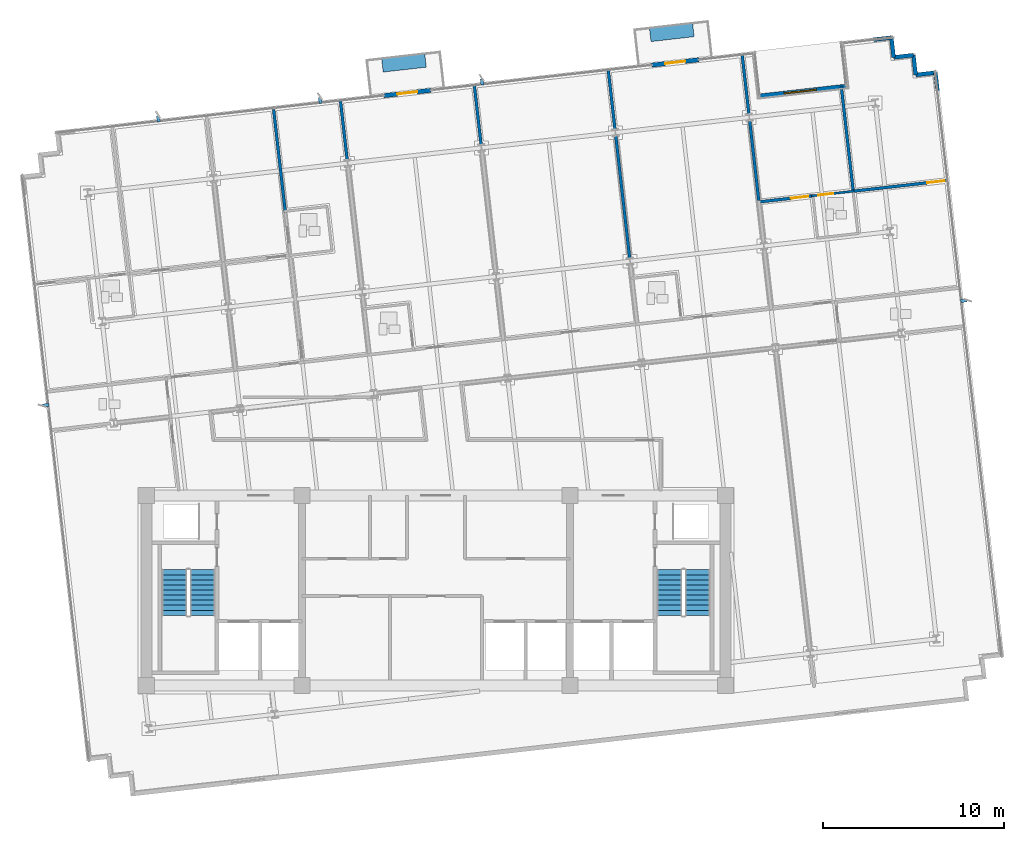
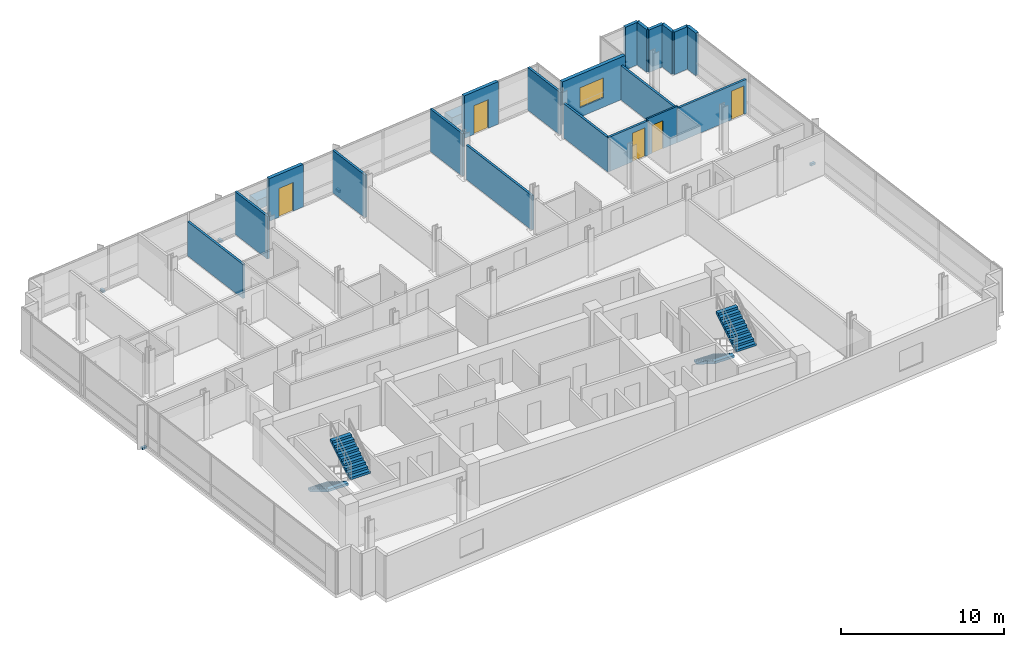
# One storey, part 12 of 16: 20 walls, 7 discrete accessories, 5 doors, 4 stair flights, 1 window, 6 openings, 2 elements without a shape of their own.
"""IFC4 building model written with IfcOpenShell, lengths in metres."""

from ifc_helpers import new_model, si_unit, direction, frame, frame_2d, origin, origin_2d, place, context, subcontext, project, spatial, polyline, rectangle, outline, extrude, material, layer, layer_set, type_object, element, fill, aggregate, save


model = new_model("IFC4")

# Units and contexts
model_context = context("Model", 3, precision=1e-05, world=origin(), true_north=direction((0.0, 1.0)))
body_context = subcontext(model_context, "Body", "Model", "MODEL_VIEW")
ifc_project = project(units=[si_unit("LENGTHUNIT", "METRE"), si_unit("AREAUNIT", "SQUARE_METRE"), si_unit("VOLUMEUNIT", "CUBIC_METRE"), si_unit("PLANEANGLEUNIT", "RADIAN"), si_unit("MASSUNIT", "GRAM", prefix="KILO")], contexts=[model_context])

# Site, building, storey
site_placement = place(None, origin())
site = spatial("IfcSite", under=ifc_project, at=site_placement, CompositionType="ELEMENT")
building_placement = place(site_placement, origin())
building = spatial("IfcBuilding", under=site, at=building_placement, Name="Solmavex Isthmus Hotel", CompositionType="ELEMENT")
storey_placement = place(building_placement, frame((0.0, 0.0, 219.300048828125)))
storey = spatial("IfcBuildingStorey", under=building, at=storey_placement, Name="L59", CompositionType="ELEMENT", Elevation=219.300048828125)

# Wall, opening, window
ifc_material_1 = material(Name="Precast Concrete C40/50", Category="concrete")
ifc_layer_1 = layer(ifc_material_1, 0.25)
ifc_layer_set_1 = layer_set([ifc_layer_1], Name="Precast Concrete C40/50")
wall_type_1 = type_object("IfcWallType", Name="EW-TWR-250", PredefinedType="STANDARD", material=ifc_layer_set_1)
wall_1_placement = place(storey_placement, frame((17.888427734375, 19.563232421875, 0.0), z_axis=(0.0, 0.0, 1.0), x_axis=(0.993576043135, 0.113166454875, 0.0)))
wall_1 = element("IfcWall", 1, at=wall_1_placement, inside=storey, type_object=wall_type_1, Name="Sky Garden Back Facade Wall L59", PredefinedType="STANDARD", context=body_context, shape_type="SweptSolid", body=[
    extrude(rectangle(XDim=4.800048828125, YDim=0.25, at=frame_2d((2.39990234375, 0.0))), origin(), (0.0, 0.0, 1.0), 3.18994140625),
])
opening_1_placement = place(wall_1_placement, frame((1.35009765625, 0.0, 0.699951171875)))
opening_1 = element("IfcOpeningElement", 2, at=opening_1_placement, cuts=wall_1, Name="Opening WN-02", PredefinedType="OPENING", context=body_context, shape_type="SweptSolid", body=[
    extrude(rectangle(XDim=1.800048828125, YDim=1.5, at=frame_2d((0.89990234375, 0.75))), frame((0.0, 0.135009765625, 0.0), z_axis=(0.0, -1.0, 0.0), x_axis=(1.0, 0.0, 0.0)), (0.0, 0.0, 1.0), 0.27001953125),
])
ifc_material_2 = material(Name="Clear low-E laminated glass", Category="glass")
window_type = type_object("IfcWindowType", Name="WIN-TWR-1800", PartitioningType="SINGLE_PANEL", PredefinedType="WINDOW", material=ifc_material_2)
window_placement = place(opening_1_placement, origin())
window = element("IfcWindow", 3, at=window_placement, inside=storey, type_object=window_type, Name="Sky Garden Overlook Window L59", OverallHeight=1.5, OverallWidth=1.800048828125, PartitioningType="SINGLE_PANEL", PredefinedType="WINDOW", context=body_context, shape_type="SweptSolid", body=[
    extrude(rectangle(XDim=1.800048828125, YDim=1.5, at=frame_2d((0.89990234375, 0.75))), frame((0.0, 0.030029296875, 0.0), z_axis=(0.0, -1.0, 0.0), x_axis=(1.0, 0.0, 0.0)), (0.0, 0.0, 1.0), 0.06005859375),
])
fill(opening_1, window)

# Wall, opening, door
wall_2_placement = place(storey_placement, frame((-2.871337890625, 19.59326171875, 0.0), z_axis=(0.0, 0.0, 1.0), x_axis=(0.993577691497, 0.113151981689, 0.0)))
wall_2 = element("IfcWall", 4, at=wall_2_placement, inside=storey, type_object=wall_type_1, Name="Exterior Balcony Door Wall L59-2", PredefinedType="STANDARD", context=body_context, shape_type="SweptSolid", body=[
    extrude(rectangle(XDim=2.599853515625, YDim=0.239990234375, at=frame_2d((1.2998046875, 0.0))), origin(), (0.0, 0.0, 1.0), 3.18994140625),
])
opening_2_placement = place(wall_2_placement, frame((0.75, 0.0, 0.0)))
opening_2 = element("IfcOpeningElement", 5, at=opening_2_placement, cuts=wall_2, Name="Opening ED-02", PredefinedType="OPENING", context=body_context, shape_type="SweptSolid", body=[
    extrude(rectangle(XDim=1.10009765625, YDim=2.14990234375, at=frame_2d((0.550048828125, 1.074951171875))), frame((0.0, 0.1298828125, 0.0), z_axis=(0.0, -1.0, 0.0), x_axis=(1.0, 0.0, 0.0)), (0.0, 0.0, 1.0), 0.260009765625),
])
ifc_material_3 = material(Name="Aluminium alloy 6063-T6", Category="aluminium")
door_type_1 = type_object("IfcDoorType", Name="EDR-BALC-1100", OperationType="NOTDEFINED", PredefinedType="DOOR", material=ifc_material_3)
door_1_placement = place(opening_2_placement, origin())
door_1 = element("IfcDoor", 6, at=door_1_placement, inside=storey, type_object=door_type_1, Name="Balcony & Terrace Glazed Door L59-2", OperationType="SINGLE_SWING_RIGHT", OverallHeight=2.14990234375, OverallWidth=1.10009765625, PredefinedType="DOOR", context=body_context, shape_type="SweptSolid", body=[
    extrude(rectangle(XDim=1.10009765625, YDim=2.14990234375, at=frame_2d((0.550048828125, 1.074951171875))), frame((0.0, 0.02490234375, 0.0), z_axis=(0.0, -1.0, 0.0), x_axis=(1.0, 0.0, 0.0)), (0.0, 0.0, 1.0), 0.050048828125),
])
fill(opening_2, door_1)

wall_3_placement = place(storey_placement, frame((11.9248046875, 21.279052734375, 0.0), z_axis=(0.0, 0.0, 1.0), x_axis=(0.993567130319, 0.113244680008, 0.0)))
wall_3 = element("IfcWall", 7, at=wall_3_placement, inside=storey, type_object=wall_type_1, Name="Exterior Balcony Door Wall L59-3", PredefinedType="STANDARD", context=body_context, shape_type="SweptSolid", body=[
    extrude(rectangle(XDim=2.60009765625, YDim=0.239990234375, at=frame_2d((1.300048828125, 0.0))), origin(), (0.0, 0.0, 1.0), 3.18994140625),
])
opening_3_placement = place(wall_3_placement, frame((0.75, 0.0, 0.0)))
opening_3 = element("IfcOpeningElement", 8, at=opening_3_placement, cuts=wall_3, Name="Opening ED-02", PredefinedType="OPENING", context=body_context, shape_type="SweptSolid", body=[
    extrude(rectangle(XDim=1.10009765625, YDim=2.14990234375, at=frame_2d((0.550048828125, 1.074951171875))), frame((0.0, 0.1298828125, 0.0), z_axis=(0.0, -1.0, 0.0), x_axis=(1.0, 0.0, 0.0)), (0.0, 0.0, 1.0), 0.260009765625),
])
door_2_placement = place(opening_3_placement, origin())
door_2 = element("IfcDoor", 9, at=door_2_placement, inside=storey, type_object=door_type_1, Name="Balcony & Terrace Glazed Door L59-3", OperationType="SINGLE_SWING_LEFT", OverallHeight=2.14990234375, OverallWidth=1.10009765625, PredefinedType="DOOR", context=body_context, shape_type="SweptSolid", body=[
    extrude(rectangle(XDim=1.10009765625, YDim=2.14990234375, at=frame_2d((0.550048828125, 1.074951171875))), frame((0.0, 0.02490234375, 0.0), z_axis=(0.0, -1.0, 0.0), x_axis=(1.0, 0.0, 0.0)), (0.0, 0.0, 1.0), 0.050048828125),
])
fill(opening_3, door_2)

# Walls
wall_4_placement = place(storey_placement, frame((24.175537109375, 22.684814453125, 0.0), z_axis=(0.0, 0.0, 1.0), x_axis=(0.993573147212, 0.113191877531, 0.0)))
element("IfcWall", 10, at=wall_4_placement, inside=storey, type_object=wall_type_1, Name="Serrated Corner Facade Panel L59-14", PredefinedType="STANDARD", context=body_context, shape_type="SweptSolid", body=[
    extrude(rectangle(XDim=0.989990234375, YDim=0.219970703125, at=frame_2d((0.4951171875, 0.0))), origin(), (0.0, 0.0, 1.0), 3.18994140625),
])
for number, where, z_axis, x_axis, name in (
    (11, (25.1591796875, 22.796875, 0.0), (0.0, 0.0, 1.0), (0.11320852056, -0.99357125103, 0.0), "Serrated Corner Facade Panel L59-15"),
    (12, (25.28369140625, 21.7041015625, 0.0), (0.0, 0.0, 1.0), (0.99357125103, 0.11320852056, 0.0), "Serrated Corner Facade Panel L59-16"),
):
    element("IfcWall", number, at=place(storey_placement, frame(where, z_axis=z_axis, x_axis=x_axis)), inside=storey, type_object=wall_type_1, Name=name, PredefinedType="STANDARD", context=body_context, shape_type="SweptSolid", body=[
        extrude(rectangle(XDim=1.099853515625, YDim=0.219970703125, at=frame_2d((0.5498046875, 0.0))), origin(), (0.0, 0.0, 1.0), 3.18994140625),
    ])
wall_5_placement = place(storey_placement, frame((26.37646484375, 21.82861328125, 0.0), z_axis=(0.0, 0.0, 1.0), x_axis=(0.113402635104, -0.993549114212, 0.0)))
element("IfcWall", 13, at=wall_5_placement, inside=storey, type_object=wall_type_1, Name="Serrated Corner Facade Panel L59-17", PredefinedType="STANDARD", context=body_context, shape_type="SweptSolid", body=[
    extrude(rectangle(XDim=1.10009765625, YDim=0.219970703125, at=frame_2d((0.550048828125, 0.0))), origin(), (0.0, 0.0, 1.0), 3.18994140625),
])
wall_6_placement = place(storey_placement, frame((26.501220703125, 20.735595703125, 0.0), z_axis=(0.0, 0.0, 1.0), x_axis=(0.99357125103, 0.11320852056, 0.0)))
element("IfcWall", 14, at=wall_6_placement, inside=storey, type_object=wall_type_1, Name="Serrated Corner Facade Panel L59-18", PredefinedType="STANDARD", context=body_context, shape_type="SweptSolid", body=[
    extrude(rectangle(XDim=1.099853515625, YDim=0.219970703125, at=frame_2d((0.5498046875, 0.0))), origin(), (0.0, 0.0, 1.0), 3.18994140625),
])
wall_7_placement = place(storey_placement, frame((27.593994140625, 20.860107421875, 0.0), z_axis=(0.0, 0.0, 1.0), x_axis=(0.113191877531, -0.993573147212, 0.0)))
element("IfcWall", 15, at=wall_7_placement, inside=storey, type_object=wall_type_1, Name="Serrated Corner Facade Panel L59-19", PredefinedType="STANDARD", context=body_context, shape_type="SweptSolid", body=[
    extrude(rectangle(XDim=0.989990234375, YDim=0.219970703125, at=frame_2d((0.4951171875, 0.0))), origin(), (0.0, 0.0, 1.0), 3.18994140625),
])
ifc_material_4 = material(Name="Gypsum plasterboard lining", Category="gypsum")
ifc_layer_2 = layer(ifc_material_4, 0.159912109375)
ifc_layer_set_2 = layer_set([ifc_layer_2], Name="Gypsum plasterboard lining")
wall_type_2 = type_object("IfcWallType", Name="IW-COMP-160", PredefinedType="PARTITIONING", material=ifc_layer_set_2)
wall_8_placement = place(storey_placement, frame((-8.96875, 18.81787109375, 0.0), z_axis=(0.0, 0.0, 1.0), x_axis=(0.113174319335, -0.993575147356, 0.0)))
element("IfcWall", 16, at=wall_8_placement, inside=storey, type_object=wall_type_2, Name="Interior Partition Wall W-L59-P040", PredefinedType="PARTITIONING", context=body_context, shape_type="SweptSolid", body=[
    extrude(rectangle(XDim=5.73388671875, YDim=0.159912109375, at=frame_2d((2.866943359375, 0.0))), origin(), (0.0, 0.0, 1.0), 2.557373046875),
])
wall_9_placement = place(storey_placement, frame((-5.283447265625, 19.358642578125, 0.0), z_axis=(0.0, 0.0, 1.0), x_axis=(0.113252098743, -0.993566284719, 0.0)))
element("IfcWall", 17, at=wall_9_placement, inside=storey, type_object=wall_type_2, Name="Interior Partition Wall W-L59-P045", PredefinedType="PARTITIONING", context=body_context, shape_type="SweptSolid", body=[
    extrude(rectangle(XDim=3.343505859375, YDim=0.159912109375, at=frame_2d((1.671875, 0.0))), origin(), (0.0, 0.0, 1.0), 3.18994140625),
])
wall_10_placement = place(storey_placement, frame((2.11474609375, 20.20166015625, 0.0), z_axis=(0.0, 0.0, 1.0), x_axis=(0.113243883011, -0.993567221158, 0.0)))
element("IfcWall", 18, at=wall_10_placement, inside=storey, type_object=wall_type_2, Name="Interior Partition Wall W-L59-P050", PredefinedType="PARTITIONING", context=body_context, shape_type="SweptSolid", body=[
    extrude(rectangle(XDim=3.34375, YDim=0.159912109375, at=frame_2d((1.671875, 0.0))), origin(), (0.0, 0.0, 1.0), 3.18994140625),
])
wall_11_placement = place(storey_placement, frame((9.512939453125, 21.04443359375, 0.0), z_axis=(0.0, 0.0, 1.0), x_axis=(0.113180015629, -0.993574498496, 0.0)))
element("IfcWall", 19, at=wall_11_placement, inside=storey, type_object=wall_type_2, Name="Interior Partition Wall W-L59-P053", PredefinedType="PARTITIONING", context=body_context, shape_type="SweptSolid", body=[
    extrude(rectangle(XDim=3.343505859375, YDim=0.159912109375, at=frame_2d((1.671875, 0.0))), origin(), (0.0, 0.0, 1.0), 3.18994140625),
])
wall_12_placement = place(storey_placement, frame((9.931396484375, 17.371826171875, 0.0), z_axis=(0.0, 0.0, 1.0), x_axis=(0.113217453743, -0.993570233133, 0.0)))
element("IfcWall", 20, at=wall_12_placement, inside=storey, type_object=wall_type_2, Name="Interior Partition Wall W-L59-P054", PredefinedType="PARTITIONING", context=body_context, shape_type="SweptSolid", body=[
    extrude(rectangle(XDim=6.799072265625, YDim=0.159912109375, at=frame_2d((3.3994140625, 0.0))), origin(), (0.0, 0.0, 1.0), 2.572265625),
])
wall_13_placement = place(storey_placement, frame((16.9111328125, 21.887451171875, 0.0), z_axis=(0.0, 0.0, 1.0), x_axis=(0.113171804991, -0.993575433752, 0.0)))
element("IfcWall", 21, at=wall_13_placement, inside=storey, type_object=wall_type_2, Name="Interior Partition Wall W-L59-P060", PredefinedType="PARTITIONING", context=body_context, shape_type="SweptSolid", body=[
    extrude(rectangle(XDim=3.34375, YDim=0.159912109375, at=frame_2d((1.671875, 0.0))), origin(), (0.0, 0.0, 1.0), 3.18994140625),
])
wall_14_placement = place(storey_placement, frame((17.32958984375, 18.21484375, 0.0), z_axis=(0.0, 0.0, 1.0), x_axis=(0.113175987041, -0.993574957392, 0.0)))
element("IfcWall", 22, at=wall_14_placement, inside=storey, type_object=wall_type_2, Name="Interior Partition Wall W-L59-P061", PredefinedType="PARTITIONING", context=body_context, shape_type="SweptSolid", body=[
    extrude(rectangle(XDim=4.607666015625, YDim=0.159912109375, at=frame_2d((2.3037109375, 0.0))), origin(), (0.0, 0.0, 1.0), 2.572265625),
])

# Wall, opening, door
wall_15_placement = place(storey_placement, frame((17.802001953125, 13.713623046875, 0.0), z_axis=(0.0, 0.0, 1.0), x_axis=(0.993571907495, 0.113202758961, 0.0)))
wall_15 = element("IfcWall", 23, at=wall_15_placement, inside=storey, type_object=wall_type_2, Name="Interior Partition Wall W-L59-P062", PredefinedType="PARTITIONING", context=body_context, shape_type="SweptSolid", body=[
    extrude(rectangle(XDim=3.083984375, YDim=0.159912109375, at=frame_2d((1.5419921875, 0.0))), origin(), (0.0, 0.0, 1.0), 2.572265625),
])
opening_4_placement = place(wall_15_placement, frame((1.823974609375, 0.0, 0.0)))
opening_4 = element("IfcOpeningElement", 24, at=opening_4_placement, cuts=wall_15, Name="Opening ID-C095", PredefinedType="OPENING", context=body_context, shape_type="SweptSolid", body=[
    extrude(rectangle(XDim=0.949951171875, YDim=2.14990234375, at=frame_2d((0.47509765625, 1.074951171875))), frame((0.0, 0.08984375, 0.0), z_axis=(0.0, -1.0, 0.0), x_axis=(1.0, 0.0, 0.0)), (0.0, 0.0, 1.0), 0.179931640625),
])
ifc_material_5 = material(Name="Hardwood timber", Category="wood")
door_type_2 = type_object("IfcDoorType", Name="IDR-FD60-0950", OperationType="NOTDEFINED", PredefinedType="DOOR", material=ifc_material_5)
door_3_placement = place(opening_4_placement, origin())
door_3 = element("IfcDoor", 25, at=door_3_placement, inside=storey, type_object=door_type_2, Name="Diplomatic Hospitality Suite Bedroom Door L59-15", OperationType="SINGLE_SWING_LEFT", OverallHeight=2.14990234375, OverallWidth=0.949951171875, PredefinedType="DOOR", context=body_context, shape_type="SweptSolid", body=[
    extrude(rectangle(XDim=0.949951171875, YDim=2.14990234375, at=frame_2d((0.47509765625, 1.074951171875))), frame((0.0, 0.02490234375, 0.0), z_axis=(0.0, -1.0, 0.0), x_axis=(1.0, 0.0, 0.0)), (0.0, 0.0, 1.0), 0.050048828125),
])
fill(opening_4, door_3)

wall_16_placement = place(storey_placement, frame((23.00244140625, 14.30615234375, 0.0), z_axis=(0.0, 0.0, 1.0), x_axis=(0.993568324639, 0.113234200993, 0.0)))
wall_16 = element("IfcWall", 26, at=wall_16_placement, inside=storey, type_object=wall_type_2, Name="Interior Partition Wall W-L59-P063", PredefinedType="PARTITIONING", context=body_context, shape_type="SweptSolid", body=[
    extrude(rectangle(XDim=5.334228515625, YDim=0.159912109375, at=frame_2d((2.6669921875, 0.0))), origin(), (0.0, 0.0, 1.0), 2.557373046875),
])
opening_5_placement = place(wall_16_placement, frame((4.174072265625, 0.0, 0.0)))
opening_5 = element("IfcOpeningElement", 27, at=opening_5_placement, cuts=wall_16, Name="Opening ID-C095", PredefinedType="OPENING", context=body_context, shape_type="SweptSolid", body=[
    extrude(rectangle(XDim=0.949951171875, YDim=2.14990234375, at=frame_2d((0.47509765625, 1.074951171875))), frame((0.0, 0.08984375, 0.0), z_axis=(0.0, -1.0, 0.0), x_axis=(1.0, 0.0, 0.0)), (0.0, 0.0, 1.0), 0.179931640625),
])
door_4_placement = place(opening_5_placement, origin())
door_4 = element("IfcDoor", 28, at=door_4_placement, inside=storey, type_object=door_type_2, Name="Diplomatic Hospitality Suite Sitting Lounge Door L59-16", OperationType="SINGLE_SWING_RIGHT", OverallHeight=2.14990234375, OverallWidth=0.949951171875, PredefinedType="DOOR", context=body_context, shape_type="SweptSolid", body=[
    extrude(rectangle(XDim=0.949951171875, YDim=2.14990234375, at=frame_2d((0.47509765625, 1.074951171875))), frame((0.0, 0.02490234375, 0.0), z_axis=(0.0, -1.0, 0.0), x_axis=(1.0, 0.0, 0.0)), (0.0, 0.0, 1.0), 0.050048828125),
])
fill(opening_5, door_4)

# Wall
wall_17_placement = place(storey_placement, frame((22.390869140625, 20.116455078125, 0.0), z_axis=(0.0, 0.0, 1.0), x_axis=(0.113187209567, -0.993573678994, 0.0)))
element("IfcWall", 29, at=wall_17_placement, inside=storey, type_object=wall_type_2, Name="Interior Partition Wall W-L59-P068", PredefinedType="PARTITIONING", context=body_context, shape_type="SweptSolid", body=[
    extrude(rectangle(XDim=5.882080078125, YDim=0.159912109375, at=frame_2d((2.94091796875, 0.0))), origin(), (0.0, 0.0, 1.0), 2.557373046875),
])

# Wall, opening, door
ifc_layer_3 = layer(ifc_material_4, 0.1201171875)
ifc_layer_set_3 = layer_set([ifc_layer_3], Name="Gypsum plasterboard lining")
wall_type_3 = type_object("IfcWallType", Name="IW-PART-120", PredefinedType="PARTITIONING", material=ifc_layer_set_3)
wall_18_placement = place(storey_placement, frame((23.091796875, 14.31640625, 0.0), z_axis=(0.0, 0.0, 1.0), x_axis=(-0.993569776601, -0.113221460091, 0.0)))
wall_18 = element("IfcWall", 30, at=wall_18_placement, inside=storey, type_object=wall_type_3, Name="Interior Partition Wall W-L59-P069", PredefinedType="PARTITIONING", context=body_context, shape_type="SweptSolid", body=[
    extrude(rectangle(XDim=2.371826171875, YDim=0.1201171875, at=frame_2d((1.18603515625, 0.0))), origin(), (0.0, 0.0, 1.0), 2.718017578125),
])
opening_6_placement = place(wall_18_placement, frame((1.14599609375, 0.0, 0.0)))
opening_6 = element("IfcOpeningElement", 31, at=opening_6_placement, cuts=wall_18, Name="Opening ID-U085", PredefinedType="OPENING", context=body_context, shape_type="SweptSolid", body=[
    extrude(rectangle(XDim=0.85009765625, YDim=2.10009765625, at=frame_2d((0.425048828125, 1.050048828125))), frame((0.0, 0.070068359375, 0.0), z_axis=(0.0, -1.0, 0.0), x_axis=(1.0, 0.0, 0.0)), (0.0, 0.0, 1.0), 0.14013671875),
])
door_type_3 = type_object("IfcDoorType", Name="IDR-UNR-0850", OperationType="NOTDEFINED", PredefinedType="DOOR", material=ifc_material_5)
door_5_placement = place(opening_6_placement, frame((0.85009765625, 0.0, 0.0), z_axis=(0.0, 0.0, 1.0), x_axis=(-1.0, 0.0, 0.0)))
door_5 = element("IfcDoor", 32, at=door_5_placement, inside=storey, type_object=door_type_3, Name="En-suite Bathroom Door L59-17", OperationType="SINGLE_SWING_LEFT", OverallHeight=2.10009765625, OverallWidth=0.85009765625, PredefinedType="DOOR", context=body_context, shape_type="SweptSolid", body=[
    extrude(rectangle(XDim=0.85009765625, YDim=2.10009765625, at=frame_2d((0.425048828125, 1.050048828125))), frame((0.0, 0.02490234375, 0.0), z_axis=(0.0, -1.0, 0.0), x_axis=(1.0, 0.0, 0.0)), (0.0, 0.0, 1.0), 0.050048828125),
])
fill(opening_6, door_5)

# Stair, stair flights
ifc_material_6 = material(Name="Concrete C40/50", Category="concrete")
stair_type_1 = type_object("IfcStairType", Name="STR-ST-1", PredefinedType="HALF_TURN_STAIR", material=ifc_material_6)
stair_1_placement = place(storey_placement, origin())
stair_1 = element("IfcStair", 33, at=stair_1_placement, inside=storey, type_object=stair_type_1, Name="L59 Protected Exit Stair ST-1", PredefinedType="HALF_TURN_STAIR")
stair_flight_type_1 = type_object("IfcStairFlightType", Name="SFL-ST-1", PredefinedType="STRAIGHT", material=ifc_material_6)
stair_flight_1_placement = place(storey_placement, frame((-14.449951171875, -6.60009765625, 0.0), z_axis=(0.0, 0.0, 1.0), x_axis=(0.0, -1.0, 0.0)))
stair_flight_1 = element("IfcStairFlight", 34, at=stair_flight_1_placement, type_object=stair_flight_type_1, Name="ST-1 flight 1", NumberOfRisers=10, NumberOfTreads=9, PredefinedType="STRAIGHT", RiserHeight=0.1725, TreadLength=0.28, context=body_context, shape_type="SweptSolid", body=[
    extrude(outline(polyline([(0.0, 0.0), (0.0, 0.172607421875), (0.280029296875, 0.172607421875), (0.280029296875, 0.344970703125), (0.56005859375, 0.344970703125), (0.56005859375, 0.517578125), (0.840087890625, 0.517578125), (0.840087890625, 0.68994140625), (1.1201171875, 0.68994140625), (1.1201171875, 0.862548828125), (1.39990234375, 0.862548828125), (1.39990234375, 1.034912109375), (1.679931640625, 1.034912109375), (1.679931640625, 1.20751953125), (1.9599609375, 1.20751953125), (1.9599609375, 1.3798828125), (2.239990234375, 1.3798828125), (2.239990234375, 1.552490234375), (2.52001953125, 1.552490234375), (2.52001953125, 1.72509765625), (2.52001953125, 1.37646484375), (0.285888671875, 0.0), (0.0, 0.0)])), frame((0.0, 0.699951171875, 0.0), z_axis=(0.0, -1.0, 0.0), x_axis=(1.0, 0.0, 0.0)), (0.0, 0.0, 1.0), 1.39990234375),
])
stair_flight_2_placement = place(storey_placement, frame((-12.89990234375, -9.1201171875, 1.724853515625), z_axis=(0.0, 0.0, 1.0), x_axis=(0.0, 1.0, 0.0)))
stair_flight_2 = element("IfcStairFlight", 35, at=stair_flight_2_placement, type_object=stair_flight_type_1, Name="ST-1 flight 2", NumberOfRisers=10, NumberOfTreads=9, PredefinedType="STRAIGHT", RiserHeight=0.1725, TreadLength=0.28, context=body_context, shape_type="SweptSolid", body=[
    extrude(outline(polyline([(0.0, 0.0), (0.0, 0.172607421875), (0.280029296875, 0.172607421875), (0.280029296875, 0.344970703125), (0.56005859375, 0.344970703125), (0.56005859375, 0.517578125), (0.840087890625, 0.517578125), (0.840087890625, 0.68994140625), (1.1201171875, 0.68994140625), (1.1201171875, 0.862548828125), (1.39990234375, 0.862548828125), (1.39990234375, 1.034912109375), (1.679931640625, 1.034912109375), (1.679931640625, 1.20751953125), (1.9599609375, 1.20751953125), (1.9599609375, 1.3798828125), (2.239990234375, 1.3798828125), (2.239990234375, 1.552490234375), (2.52001953125, 1.552490234375), (2.52001953125, 1.72509765625), (2.52001953125, 1.37646484375), (0.285888671875, 0.0), (0.0, 0.0)])), frame((0.0, 0.699951171875, 0.0), z_axis=(0.0, -1.0, 0.0), x_axis=(1.0, 0.0, 0.0)), (0.0, 0.0, 1.0), 1.39990234375),
])
aggregate(stair_1, [stair_flight_1, stair_flight_2])

stair_type_2 = type_object("IfcStairType", Name="STR-ST-2", PredefinedType="HALF_TURN_STAIR", material=ifc_material_6)
stair_2_placement = place(storey_placement, origin())
stair_2 = element("IfcStair", 36, at=stair_2_placement, inside=storey, type_object=stair_type_2, Name="L59 Protected Exit Stair ST-2", PredefinedType="HALF_TURN_STAIR")
stair_flight_type_2 = type_object("IfcStairFlightType", Name="SFL-ST-2", PredefinedType="STRAIGHT", material=ifc_material_6)
stair_flight_3_placement = place(storey_placement, frame((12.89990234375, -6.60009765625, 0.0), z_axis=(0.0, 0.0, 1.0), x_axis=(0.0, -1.0, 0.0)))
stair_flight_3 = element("IfcStairFlight", 37, at=stair_flight_3_placement, type_object=stair_flight_type_2, Name="ST-2 flight 1", NumberOfRisers=10, NumberOfTreads=9, PredefinedType="STRAIGHT", RiserHeight=0.1725, TreadLength=0.28, context=body_context, shape_type="SweptSolid", body=[
    extrude(outline(polyline([(0.0, 0.0), (0.0, 0.172607421875), (0.280029296875, 0.172607421875), (0.280029296875, 0.344970703125), (0.56005859375, 0.344970703125), (0.56005859375, 0.517578125), (0.840087890625, 0.517578125), (0.840087890625, 0.68994140625), (1.1201171875, 0.68994140625), (1.1201171875, 0.862548828125), (1.39990234375, 0.862548828125), (1.39990234375, 1.034912109375), (1.679931640625, 1.034912109375), (1.679931640625, 1.20751953125), (1.9599609375, 1.20751953125), (1.9599609375, 1.3798828125), (2.239990234375, 1.3798828125), (2.239990234375, 1.552490234375), (2.52001953125, 1.552490234375), (2.52001953125, 1.72509765625), (2.52001953125, 1.37646484375), (0.285888671875, 0.0), (0.0, 0.0)])), frame((0.0, 0.699951171875, 0.0), z_axis=(0.0, -1.0, 0.0), x_axis=(1.0, 0.0, 0.0)), (0.0, 0.0, 1.0), 1.39990234375),
])
stair_flight_4_placement = place(storey_placement, frame((14.449951171875, -9.1201171875, 1.724853515625), z_axis=(0.0, 0.0, 1.0), x_axis=(0.0, 1.0, 0.0)))
stair_flight_4 = element("IfcStairFlight", 38, at=stair_flight_4_placement, type_object=stair_flight_type_2, Name="ST-2 flight 2", NumberOfRisers=10, NumberOfTreads=9, PredefinedType="STRAIGHT", RiserHeight=0.1725, TreadLength=0.28, context=body_context, shape_type="SweptSolid", body=[
    extrude(outline(polyline([(0.0, 0.0), (0.0, 0.172607421875), (0.280029296875, 0.172607421875), (0.280029296875, 0.344970703125), (0.56005859375, 0.344970703125), (0.56005859375, 0.517578125), (0.840087890625, 0.517578125), (0.840087890625, 0.68994140625), (1.1201171875, 0.68994140625), (1.1201171875, 0.862548828125), (1.39990234375, 0.862548828125), (1.39990234375, 1.034912109375), (1.679931640625, 1.034912109375), (1.679931640625, 1.20751953125), (1.9599609375, 1.20751953125), (1.9599609375, 1.3798828125), (2.239990234375, 1.3798828125), (2.239990234375, 1.552490234375), (2.52001953125, 1.552490234375), (2.52001953125, 1.72509765625), (2.52001953125, 1.37646484375), (0.285888671875, 0.0), (0.0, 0.0)])), frame((0.0, 0.699951171875, 0.0), z_axis=(0.0, -1.0, 0.0), x_axis=(1.0, 0.0, 0.0)), (0.0, 0.0, 1.0), 1.39990234375),
])
aggregate(stair_2, [stair_flight_3, stair_flight_4])

# Discrete accessories
ifc_material_7 = material(Name="Steel ASTM A572 Grade 50", Category="steel")
discrete_accessory_type_1 = type_object("IfcDiscreteAccessoryType", Name="ACC-BRK-FIN", PredefinedType="BRACKET", material=ifc_material_7)
for number, where, z_axis, x_axis, name in (
    (39, (-15.333740234375, 18.314208984375, -0.169921875), (0.0, 0.0, 1.0), (-0.113203213768, 0.993571855677, 0.0), "Facade Fin Support Bracket L59-N1"),
    (40, (-6.3916015625, 19.3330078125, -0.169921875), (0.0, 0.0, 1.0), (-0.113203213768, 0.993571855677, 0.0), "Facade Fin Support Bracket L59-N2"),
    (41, (2.550537109375, 20.351806640625, -0.169921875), (0.0, 0.0, 1.0), (-0.113203213768, 0.993571855677, 0.0), "Facade Fin Support Bracket L59-N3"),
    (42, (-21.55224609375, 2.488525390625, -0.169921875), (0.0, 0.0, 1.0), (-0.993571855677, -0.113203213768, 0.0), "Facade Fin Support Bracket L59-W1"),
    (43, (29.15966796875, 8.266357421875, -0.169921875), (0.0, 0.0, 1.0), (0.993571855677, 0.113203213768, 0.0), "Facade Fin Support Bracket L59-E1"),
):
    element("IfcDiscreteAccessory", number, at=place(storey_placement, frame(where, z_axis=z_axis, x_axis=x_axis)), inside=storey, type_object=discrete_accessory_type_1, Name=name, PredefinedType="BRACKET", context=body_context, shape_type="SweptSolid", body=[
        extrude(rectangle(XDim=0.340087890625, YDim=0.179931640625, at=origin_2d()), origin(), (0.0, 0.0, 1.0), 0.159912109375),
    ])
discrete_accessory_type_2 = type_object("IfcDiscreteAccessoryType", Name="ACC-PLN-BALC", PredefinedType="USERDEFINED", material=ifc_material_1)
for number, where, z_axis, x_axis, name in (
    (44, (-1.768798828125, 21.399658203125, 0.0), (0.0, 0.0, 1.0), (0.993571855677, 0.113203213768, 0.0), "Tree-Balcony Architectural Planter L59-B1"),
    (45, (13.027587890625, 23.08544921875, 0.0), (0.0, 0.0, 1.0), (0.993571855677, 0.113203213768, 0.0), "Tree-Balcony Architectural Planter L59-B2"),
):
    element("IfcDiscreteAccessory", number, at=place(storey_placement, frame(where, z_axis=z_axis, x_axis=x_axis)), inside=storey, type_object=discrete_accessory_type_2, Name=name, ObjectType="PLANTER", PredefinedType="USERDEFINED", context=body_context, shape_type="SweptSolid", body=[
        extrude(rectangle(XDim=2.39990234375, YDim=0.75, at=origin_2d()), origin(), (0.0, 0.0, 1.0), 0.699951171875),
    ])

save(model, "model.ifc")
